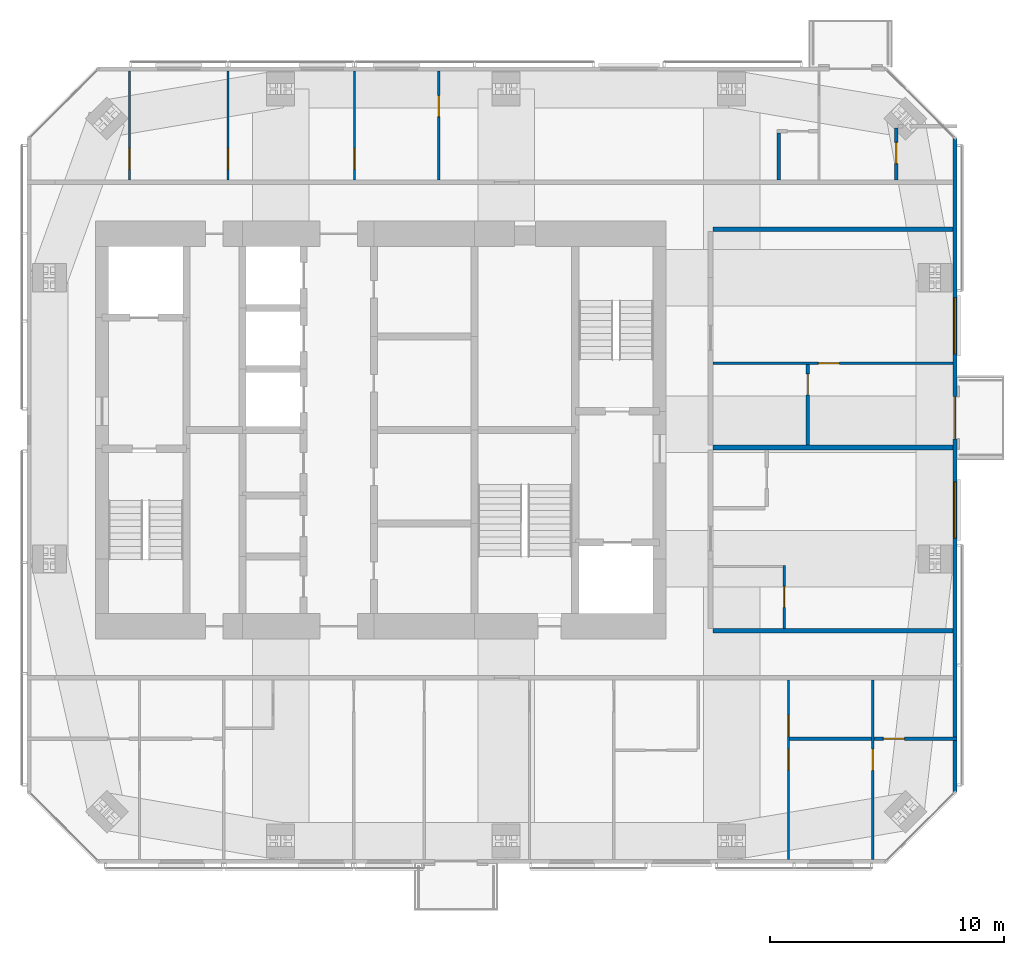
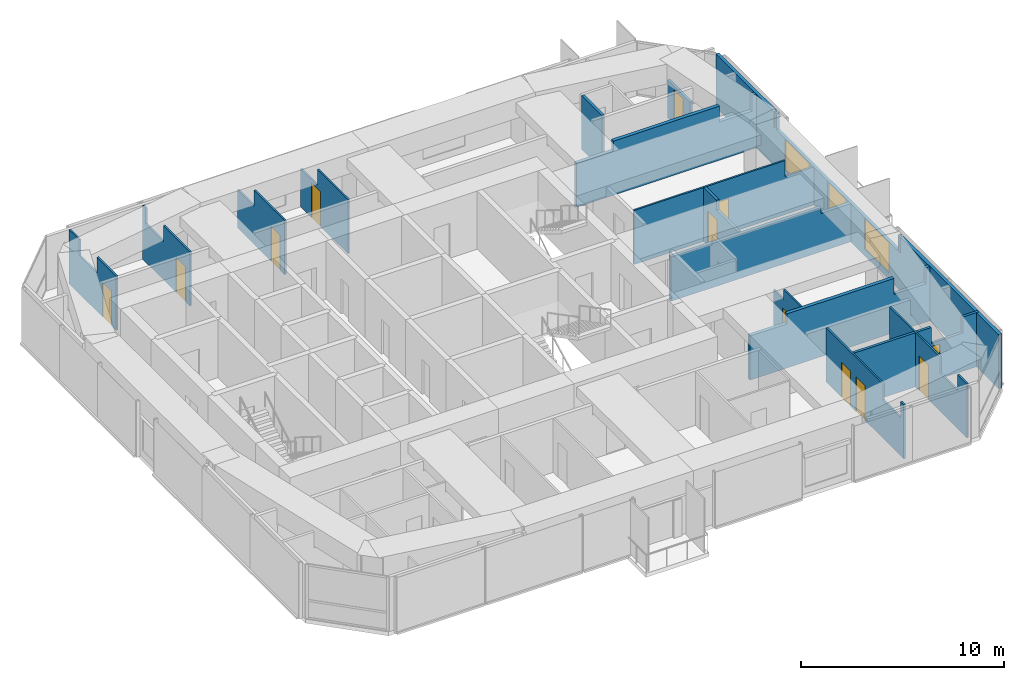
# One storey, part 16 of 18: 17 walls, 13 doors, 2 windows, 15 openings.
"""IFC4 building model written with IfcOpenShell, lengths in metres."""

from ifc_helpers import new_model, si_unit, direction, frame, frame_2d, origin, place, context, subcontext, project, spatial, polyline, rectangle, outline, extrude, material, constituent, constituent_set, type_object, element, fill, save


model = new_model("IFC4")

# Units and contexts
model_context = context("Model", 3, precision=1e-05, world=origin(), true_north=direction((0.0, 1.0)))
body_context = subcontext(model_context, "Body", "Model", "MODEL_VIEW")
ifc_project = project(units=[si_unit("LENGTHUNIT", "METRE"), si_unit("AREAUNIT", "SQUARE_METRE"), si_unit("VOLUMEUNIT", "CUBIC_METRE"), si_unit("PLANEANGLEUNIT", "RADIAN"), si_unit("MASSUNIT", "GRAM", prefix="KILO")], contexts=[model_context])

# Site, building, storey
site_placement = place(None, origin())
site = spatial("IfcSite", under=ifc_project, at=site_placement, CompositionType="ELEMENT")
building_placement = place(site_placement, origin())
building = spatial("IfcBuilding", under=site, at=building_placement, Name="Jalousie Tower", CompositionType="ELEMENT")
storey_placement = place(building_placement, frame((0.0, 0.0, 256.449951171875)))
storey = spatial("IfcBuildingStorey", under=building, at=storey_placement, Name="L70", CompositionType="ELEMENT", Elevation=256.449951171875)

# Wall
ifc_material_1 = material(Name="Concrete block ASTM C90", Category="concrete")
ifc_constituent_1 = constituent(ifc_material_1, Name="Body")
ifc_material_2 = material(Name="Render")
ifc_constituent_2 = constituent(ifc_material_2, Name="Finish")
ifc_constituent_set_1 = constituent_set(constituents=[ifc_constituent_1, ifc_constituent_2])
wall_type_1 = type_object("IfcWallType", Name="BATHROOM WALL 150", PredefinedType="PLUMBINGWALL", material=ifc_constituent_set_1)
wall_1_placement = place(storey_placement, frame((49.35009765625, 5.324951171875, 0.0), z_axis=(0.0, 0.0, 1.0), x_axis=(1.0, 0.0, 0.0)))
element("IfcWall", 1, at=wall_1_placement, inside=storey, type_object=wall_type_1, Name="Bathroom Wall 150 L70", PredefinedType="PLUMBINGWALL", context=body_context, shape_type="SweptSolid", body=[
    extrude(rectangle(XDim=3.5, YDim=0.14990234375, at=frame_2d((1.75, 0.0))), origin(), (0.0, 0.0, 1.0), 3.260009765625),
])

# Wall, opening, door
wall_2_placement = place(storey_placement, frame((52.949951171875, 5.324951171875, 0.0), z_axis=(0.0, 0.0, 1.0), x_axis=(1.0, 0.0, 0.0)))
wall_2 = element("IfcWall", 2, at=wall_2_placement, inside=storey, type_object=wall_type_1, Name="Bathroom Wall 150 L70", PredefinedType="PLUMBINGWALL", context=body_context, shape_type="SweptSolid", body=[
    extrude(outline(polyline([(0.0, 0.0), (3.550048828125, 0.0), (3.550048828125, 3.260009765625), (2.596923828125, 3.260009765625), (2.596923828125, 2.300048828125), (0.815185546875, 2.300048828125), (0.815185546875, 3.260009765625), (0.0, 3.260009765625), (0.0, 0.0)])), frame((0.0, 0.074951171875, 0.0), z_axis=(0.0, -1.0, 0.0), x_axis=(1.0, 0.0, 0.0)), (0.0, 0.0, 1.0), 0.14990234375),
])
opening_1_placement = place(wall_2_placement, frame((0.39990234375, 0.0, 0.0)))
opening_1 = element("IfcOpeningElement", 3, at=opening_1_placement, cuts=wall_2, Name="Opening D3", PredefinedType="OPENING", context=body_context, shape_type="SweptSolid", body=[
    extrude(rectangle(XDim=0.89990234375, YDim=2.10009765625, at=frame_2d((0.449951171875, 1.050048828125))), frame((0.0, 0.0849609375, 0.0), z_axis=(0.0, -1.0, 0.0), x_axis=(1.0, 0.0, 0.0)), (0.0, 0.0, 1.0), 0.169921875),
])
ifc_material_3 = material(Name="Timber door", Category="wood")
door_type_1 = type_object("IfcDoorType", Name="BATHROOM DOOR 900", OperationType="SINGLE_SWING_LEFT", PredefinedType="DOOR", material=ifc_material_3)
door_1_placement = place(opening_1_placement, origin())
door_1 = element("IfcDoor", 4, at=door_1_placement, inside=storey, type_object=door_type_1, Name="Apartment 7001 bedroom 4 bathroom door", OperationType="SINGLE_SWING_LEFT", OverallHeight=2.10009765625, OverallWidth=0.89990234375, PredefinedType="DOOR", context=body_context, shape_type="SweptSolid", body=[
    extrude(rectangle(XDim=0.89990234375, YDim=2.10009765625, at=frame_2d((0.449951171875, 1.050048828125))), frame((0.0, 0.02490234375, 0.0), z_axis=(0.0, -1.0, 0.0), x_axis=(1.0, 0.0, 0.0)), (0.0, 0.0, 1.0), 0.050048828125),
])
fill(opening_1, door_1)

wall_3_placement = place(storey_placement, frame((53.89990234375, 31.39990234375, 0.0), z_axis=(0.0, 0.0, 1.0), x_axis=(0.0, -1.0, 0.0)))
wall_3 = element("IfcWall", 5, at=wall_3_placement, inside=storey, type_object=wall_type_1, Name="Bathroom Wall 150 L70", PredefinedType="PLUMBINGWALL", context=body_context, shape_type="SweptSolid", body=[
    extrude(outline(polyline([(0.0, 0.0), (2.224853515625, 0.0), (2.22509765625, 3.260009765625), (2.22509765625, 2.300048828125), (0.43798828125, 2.300048828125), (0.0, 2.300048828125), (0.0, 3.260009765625), (0.0, 0.0)])), frame((0.0, 0.074951171875, 0.0), z_axis=(0.0, -1.0, 0.0), x_axis=(1.0, 0.0, 0.0)), (0.0, 0.0, 1.0), 0.14990234375),
])
opening_2_placement = place(wall_3_placement, frame((0.625, 0.0, 0.0)))
opening_2 = element("IfcOpeningElement", 6, at=opening_2_placement, cuts=wall_3, Name="Opening D3", PredefinedType="OPENING", context=body_context, shape_type="SweptSolid", body=[
    extrude(rectangle(XDim=0.89990234375, YDim=2.10009765625, at=frame_2d((0.449951171875, 1.050048828125))), frame((0.0, 0.0849609375, 0.0), z_axis=(0.0, -1.0, 0.0), x_axis=(1.0, 0.0, 0.0)), (0.0, 0.0, 1.0), 0.169921875),
])
door_2_placement = place(opening_2_placement, origin())
door_2 = element("IfcDoor", 7, at=door_2_placement, inside=storey, type_object=door_type_1, Name="Apartment 7002 bathroom door", OperationType="SINGLE_SWING_LEFT", OverallHeight=2.10009765625, OverallWidth=0.89990234375, PredefinedType="DOOR", context=body_context, shape_type="SweptSolid", body=[
    extrude(rectangle(XDim=0.89990234375, YDim=2.10009765625, at=frame_2d((0.449951171875, 1.050048828125))), frame((0.0, 0.02490234375, 0.0), z_axis=(0.0, -1.0, 0.0), x_axis=(1.0, 0.0, 0.0)), (0.0, 0.0, 1.0), 0.050048828125),
])
fill(opening_2, door_2)

wall_4_placement = place(storey_placement, frame((50.125, 17.85009765625, 0.0), z_axis=(0.0, 0.0, 1.0), x_axis=(0.0, 1.0, 0.0)))
wall_4 = element("IfcWall", 8, at=wall_4_placement, inside=storey, type_object=wall_type_1, Name="Bathroom Wall 150 L70", PredefinedType="PLUMBINGWALL", context=body_context, shape_type="SweptSolid", body=[
    extrude(outline(polyline([(0.0, 0.0), (3.449951171875, 0.0), (3.449951171875, 3.260009765625), (2.18505859375, 3.260009765625), (2.18505859375, 2.66015625), (0.0, 2.66015625), (0.0, 3.260009765625), (0.0, 0.0)])), frame((0.0, 0.074951171875, 0.0), z_axis=(0.0, -1.0, 0.0), x_axis=(1.0, 0.0, 0.0)), (0.0, 0.0, 1.0), 0.14990234375),
])
opening_3_placement = place(wall_4_placement, frame((2.14990234375, 0.0, 0.0)))
opening_3 = element("IfcOpeningElement", 9, at=opening_3_placement, cuts=wall_4, Name="Opening D3", PredefinedType="OPENING", context=body_context, shape_type="SweptSolid", body=[
    extrude(rectangle(XDim=0.89990234375, YDim=2.10009765625, at=frame_2d((0.449951171875, 1.050048828125))), frame((0.0, 0.0849609375, 0.0), z_axis=(0.0, -1.0, 0.0), x_axis=(1.0, 0.0, 0.0)), (0.0, 0.0, 1.0), 0.169921875),
])
door_3_placement = place(opening_3_placement, origin())
door_3 = element("IfcDoor", 10, at=door_3_placement, inside=storey, type_object=door_type_1, Name="Apartment 7004 bedroom 1 bathroom door", OperationType="SINGLE_SWING_RIGHT", OverallHeight=2.10009765625, OverallWidth=0.89990234375, PredefinedType="DOOR", context=body_context, shape_type="SweptSolid", body=[
    extrude(rectangle(XDim=0.89990234375, YDim=2.10009765625, at=frame_2d((0.449951171875, 1.050048828125))), frame((0.0, 0.02490234375, 0.0), z_axis=(0.0, -1.0, 0.0), x_axis=(1.0, 0.0, 0.0)), (0.0, 0.0, 1.0), 0.050048828125),
])
fill(opening_3, door_3)

# Walls
wall_5_placement = place(storey_placement, frame((48.87744140625, 29.175048828125, 0.0), z_axis=(0.0, 0.0, 1.0), x_axis=(0.0, 1.0, 0.0)))
element("IfcWall", 11, at=wall_5_placement, inside=storey, type_object=wall_type_1, Name="Bathroom Wall 150 L70", PredefinedType="PLUMBINGWALL", context=body_context, shape_type="SweptSolid", body=[
    extrude(rectangle(XDim=2.0, YDim=0.14990234375, at=frame_2d((1.0, 0.0))), origin(), (0.0, 0.0, 1.0), 3.260009765625),
])
ifc_material_4 = material(Name="Concrete block ASTM C90", Category="concrete")
ifc_constituent_3 = constituent(ifc_material_4, Name="Body")
ifc_material_5 = material(Name="Render")
ifc_constituent_4 = constituent(ifc_material_5, Name="Finish")
ifc_constituent_set_2 = constituent_set(constituents=[ifc_constituent_3, ifc_constituent_4])
wall_type_2 = type_object("IfcWallType", Name="CORRIDOR WALL 200", PredefinedType="PARTITIONING", material=ifc_constituent_set_2)
wall_6_placement = place(storey_placement, frame((46.074951171875, 9.925048828125, 0.0), z_axis=(0.0, 0.0, 1.0), x_axis=(1.0, 0.0, 0.0)))
element("IfcWall", 12, at=wall_6_placement, inside=storey, type_object=wall_type_2, Name="Corridor Wall 200 L70", PredefinedType="PARTITIONING", context=body_context, shape_type="SweptSolid", body=[
    extrude(outline(polyline([(0.0, 0.0), (10.25, 0.0), (10.25, 3.260009765625), (10.032958984375, 3.260009765625), (10.032958984375, 2.300048828125), (8.20068359375, 2.300048828125), (8.20068359375, 3.260009765625), (2.110107421875, 3.260009765625), (2.110107421875, 2.66015625), (0.0, 2.66015625), (0.0, 3.260009765625), (0.0, 0.0)])), frame((0.0, 0.10009765625, 0.0), z_axis=(0.0, -1.0, 0.0), x_axis=(1.0, 0.0, 0.0)), (0.0, 0.0, 1.0), 0.199951171875),
])
wall_7_placement = place(storey_placement, frame((46.074951171875, 27.074951171875, 0.0), z_axis=(0.0, 0.0, 1.0), x_axis=(1.0, 0.0, 0.0)))
element("IfcWall", 13, at=wall_7_placement, inside=storey, type_object=wall_type_2, Name="Corridor Wall 200 L70", PredefinedType="PARTITIONING", context=body_context, shape_type="SweptSolid", body=[
    extrude(outline(polyline([(0.0, 0.0), (10.25, 0.0), (10.25, 3.260009765625), (10.0166015625, 3.260009765625), (10.0166015625, 2.300048828125), (8.16552734375, 2.300048828125), (8.16552734375, 3.260009765625), (2.110107421875, 3.260009765625), (2.110107421875, 2.66015625), (0.0, 2.66015625), (0.0, 3.260009765625), (0.0, 0.0)])), frame((0.0, 0.10009765625, 0.0), z_axis=(0.0, -1.0, 0.0), x_axis=(1.0, 0.0, 0.0)), (0.0, 0.0, 1.0), 0.199951171875),
])

# Wall, openings, door, windows
ifc_material_6 = material(Name="Concrete f'c 40 MPa", Category="concrete")
ifc_constituent_5 = constituent(ifc_material_6, Name="Body")
ifc_material_7 = material(Name="Render, pastel sky blue")
ifc_constituent_6 = constituent(ifc_material_7, Name="Finish")
ifc_constituent_set_3 = constituent_set(constituents=[ifc_constituent_5, ifc_constituent_6])
wall_type_3 = type_object("IfcWallType", Name="EXTERNAL WALL 175 SKY BLUE RENDER", PredefinedType="SOLIDWALL", material=ifc_constituent_set_3)
wall_8_placement = place(storey_placement, frame((56.41259765625, 3.05126953125, 0.0), z_axis=(0.0, 0.0, 1.0), x_axis=(0.0, 1.0, 0.0)))
wall_8 = element("IfcWall", 14, at=wall_8_placement, inside=storey, type_object=wall_type_3, Name="External Wall 175 Sky Blue Render L70", PredefinedType="SOLIDWALL", context=body_context, shape_type="SweptSolid", body=[
    extrude(outline(polyline([(0.0, 0.0), (27.8974609375, 0.0), (27.8974609375, 3.260009765625), (22.1572265625, 3.260009765625), (22.1572265625, 2.300048828125), (22.092041015625, 2.300048828125), (22.092041015625, 3.260009765625), (21.94873046875, 3.260009765625), (21.94873046875, 2.300048828125), (9.94873046875, 2.300048828125), (9.94873046875, 3.260009765625), (9.8583984375, 3.260009765625), (9.8583984375, 2.300048828125), (9.6875, 2.300048828125), (9.6875, 3.260009765625), (0.0, 3.260009765625), (0.0, 0.0)])), frame((0.0, 0.08740234375, 0.0), z_axis=(0.0, -1.0, 0.0), x_axis=(1.0, 0.0, 0.0)), (0.0, 0.0, 1.0), 0.175048828125),
])
opening_4_placement = place(wall_8_placement, frame((10.83056640625, 0.0, 0.39990234375)))
opening_4 = element("IfcOpeningElement", 15, at=opening_4_placement, cuts=wall_8, Name="Opening W-LIV185", PredefinedType="OPENING", context=body_context, shape_type="SweptSolid", body=[
    extrude(rectangle(XDim=2.39990234375, YDim=1.85009765625, at=frame_2d((1.199951171875, 0.925048828125))), frame((0.0, 0.097412109375, 0.0), z_axis=(0.0, -1.0, 0.0), x_axis=(1.0, 0.0, 0.0)), (0.0, 0.0, 1.0), 0.195068359375),
])
opening_5_placement = place(wall_8_placement, frame((15.07373046875, 0.0, 0.0)))
opening_5 = element("IfcOpeningElement", 16, at=opening_5_placement, cuts=wall_8, Name="Opening D-BAL22", PredefinedType="OPENING", context=body_context, shape_type="SweptSolid", body=[
    extrude(rectangle(XDim=1.800048828125, YDim=2.25, at=frame_2d((0.89990234375, 1.125))), frame((0.0, 0.097412109375, 0.0), z_axis=(0.0, -1.0, 0.0), x_axis=(1.0, 0.0, 0.0)), (0.0, 0.0, 1.0), 0.195068359375),
])
opening_6_placement = place(wall_8_placement, frame((18.69873046875, 0.0, 0.39990234375)))
opening_6 = element("IfcOpeningElement", 17, at=opening_6_placement, cuts=wall_8, Name="Opening W-LIV185", PredefinedType="OPENING", context=body_context, shape_type="SweptSolid", body=[
    extrude(rectangle(XDim=2.39990234375, YDim=1.85009765625, at=frame_2d((1.199951171875, 0.925048828125))), frame((0.0, 0.097412109375, 0.0), z_axis=(0.0, -1.0, 0.0), x_axis=(1.0, 0.0, 0.0)), (0.0, 0.0, 1.0), 0.195068359375),
])
ifc_material_8 = material(Name="Aluminium frame, impact-rated glazing", Category="aluminium")
door_type_2 = type_object("IfcDoorType", Name="BALCONY DOOR 1800x2250", OperationType="SLIDING_TO_LEFT", PredefinedType="DOOR", material=ifc_material_8)
door_4_placement = place(opening_5_placement, origin())
door_4 = element("IfcDoor", 18, at=door_4_placement, inside=storey, type_object=door_type_2, Name="Apartment 7004 bedroom 1 balcony door", OperationType="SLIDING_TO_LEFT", OverallHeight=2.25, OverallWidth=1.800048828125, PredefinedType="DOOR", context=body_context, shape_type="SweptSolid", body=[
    extrude(rectangle(XDim=1.800048828125, YDim=2.25, at=frame_2d((0.89990234375, 1.125))), frame((0.0, 0.02490234375, 0.0), z_axis=(0.0, -1.0, 0.0), x_axis=(1.0, 0.0, 0.0)), (0.0, 0.0, 1.0), 0.050048828125),
])
fill(opening_5, door_4)
ifc_material_9 = material(Name="Aluminium frame, impact-rated glazing", Category="aluminium")
window_type = type_object("IfcWindowType", Name="WINDOW LIV 2400x1850", PartitioningType="DOUBLE_PANEL_VERTICAL", PredefinedType="WINDOW", material=ifc_material_9)
window_1_placement = place(opening_4_placement, origin())
window_1 = element("IfcWindow", 19, at=window_1_placement, inside=storey, type_object=window_type, Name="Apartment 7003 studio living and sleeping room window", OverallHeight=1.85009765625, OverallWidth=2.39990234375, PartitioningType="SINGLE_PANEL", PredefinedType="WINDOW", context=body_context, shape_type="SweptSolid", body=[
    extrude(rectangle(XDim=2.39990234375, YDim=1.85009765625, at=frame_2d((1.199951171875, 0.925048828125))), frame((0.0, 0.030029296875, 0.0), z_axis=(0.0, -1.0, 0.0), x_axis=(1.0, 0.0, 0.0)), (0.0, 0.0, 1.0), 0.06005859375),
])
fill(opening_4, window_1)
window_2_placement = place(opening_6_placement, origin())
window_2 = element("IfcWindow", 20, at=window_2_placement, inside=storey, type_object=window_type, Name="Apartment 7004 living, dining and kitchen window", OverallHeight=1.85009765625, OverallWidth=2.39990234375, PartitioningType="SINGLE_PANEL", PredefinedType="WINDOW", context=body_context, shape_type="SweptSolid", body=[
    extrude(rectangle(XDim=2.39990234375, YDim=1.85009765625, at=frame_2d((1.199951171875, 0.925048828125))), frame((0.0, 0.030029296875, 0.0), z_axis=(0.0, -1.0, 0.0), x_axis=(1.0, 0.0, 0.0)), (0.0, 0.0, 1.0), 0.06005859375),
])
fill(opening_6, window_2)

# Wall, openings, doors
ifc_material_10 = material(Name="Gypsum board", Category="gypsum")
ifc_constituent_7 = constituent(ifc_material_10, Name="Body")
ifc_material_11 = material(Name="Light-gauge steel studs ASTM A653 SS Grade 33", Category="steel")
ifc_constituent_8 = constituent(ifc_material_11, Name="Framing")
ifc_constituent_set_4 = constituent_set(constituents=[ifc_constituent_7, ifc_constituent_8])
wall_type_4 = type_object("IfcWallType", Name="PARTITION 100", PredefinedType="PARTITIONING", material=ifc_constituent_set_4)
wall_9_placement = place(storey_placement, frame((49.300048828125, 0.175048828125, 0.0), z_axis=(0.0, 0.0, 1.0), x_axis=(0.0, 1.0, 0.0)))
wall_9 = element("IfcWall", 21, at=wall_9_placement, inside=storey, type_object=wall_type_4, Name="Partition 100 L70", PredefinedType="PARTITIONING", context=body_context, shape_type="SweptSolid", body=[
    extrude(outline(polyline([(0.0, 0.0), (7.64990234375, 0.0), (7.64990234375, 3.260009765625), (2.05810546875, 3.260009765625), (2.05810546875, 2.300048828125), (0.313720703125, 2.300048828125), (0.313720703125, 3.260009765625), (0.0, 3.260009765625), (0.0, 0.0)])), frame((0.0, 0.050048828125, 0.0), z_axis=(0.0, -1.0, 0.0), x_axis=(1.0, 0.0, 0.0)), (0.0, 0.0, 1.0), 0.10009765625),
])
opening_7_placement = place(wall_9_placement, frame((3.800048828125, 0.0, 0.0)))
opening_7 = element("IfcOpeningElement", 22, at=opening_7_placement, cuts=wall_9, Name="Opening D2", PredefinedType="OPENING", context=body_context, shape_type="SweptSolid", body=[
    extrude(rectangle(XDim=0.89990234375, YDim=2.10009765625, at=frame_2d((0.449951171875, 1.050048828125))), frame((0.0, 0.06005859375, 0.0), z_axis=(0.0, -1.0, 0.0), x_axis=(1.0, 0.0, 0.0)), (0.0, 0.0, 1.0), 0.1201171875),
])
opening_8_placement = place(wall_9_placement, frame((5.25, 0.0, 0.0)))
opening_8 = element("IfcOpeningElement", 23, at=opening_8_placement, cuts=wall_9, Name="Opening D7", PredefinedType="OPENING", context=body_context, shape_type="SweptSolid", body=[
    extrude(rectangle(XDim=0.89990234375, YDim=2.10009765625, at=frame_2d((0.449951171875, 1.050048828125))), frame((0.0, 0.06005859375, 0.0), z_axis=(0.0, -1.0, 0.0), x_axis=(1.0, 0.0, 0.0)), (0.0, 0.0, 1.0), 0.1201171875),
])
ifc_material_12 = material(Name="Timber door", Category="wood")
door_type_3 = type_object("IfcDoorType", Name="BEDROOM DOOR 900", OperationType="SINGLE_SWING_LEFT", PredefinedType="DOOR", material=ifc_material_12)
door_5_placement = place(opening_7_placement, frame((0.89990234375, 0.0, 0.0), z_axis=(0.0, 0.0, 1.0), x_axis=(-1.0, 0.0, 0.0)))
door_5 = element("IfcDoor", 24, at=door_5_placement, inside=storey, type_object=door_type_3, Name="Apartment 7001 bedroom 3 door", OperationType="SINGLE_SWING_LEFT", OverallHeight=2.10009765625, OverallWidth=0.89990234375, PredefinedType="DOOR", context=body_context, shape_type="SweptSolid", body=[
    extrude(rectangle(XDim=0.89990234375, YDim=2.10009765625, at=frame_2d((0.449951171875, 1.050048828125))), frame((0.0, 0.02490234375, 0.0), z_axis=(0.0, -1.0, 0.0), x_axis=(1.0, 0.0, 0.0)), (0.0, 0.0, 1.0), 0.050048828125),
])
fill(opening_7, door_5)
ifc_material_13 = material(Name="Timber door", Category="wood")
door_type_4 = type_object("IfcDoorType", Name="INTERNAL DOOR 900", OperationType="SINGLE_SWING_LEFT", PredefinedType="DOOR", material=ifc_material_13)
door_6_placement = place(opening_8_placement, frame((0.89990234375, 0.0, 0.0), z_axis=(0.0, 0.0, 1.0), x_axis=(-1.0, 0.0, 0.0)))
door_6 = element("IfcDoor", 25, at=door_6_placement, inside=storey, type_object=door_type_4, Name="Apartment 7001 bathroom door", OperationType="SINGLE_SWING_RIGHT", OverallHeight=2.10009765625, OverallWidth=0.89990234375, PredefinedType="DOOR", context=body_context, shape_type="SweptSolid", body=[
    extrude(rectangle(XDim=0.89990234375, YDim=2.10009765625, at=frame_2d((0.449951171875, 1.050048828125))), frame((0.0, 0.02490234375, 0.0), z_axis=(0.0, -1.0, 0.0), x_axis=(1.0, 0.0, 0.0)), (0.0, 0.0, 1.0), 0.050048828125),
])
fill(opening_8, door_6)

# Wall, opening, door
wall_10_placement = place(storey_placement, frame((52.89990234375, 0.175048828125, 0.0), z_axis=(0.0, 0.0, 1.0), x_axis=(0.0, 1.0, 0.0)))
wall_10 = element("IfcWall", 26, at=wall_10_placement, inside=storey, type_object=wall_type_4, Name="Partition 100 L70", PredefinedType="PARTITIONING", context=body_context, shape_type="SweptSolid", body=[
    extrude(outline(polyline([(0.0, 0.0), (7.64990234375, 0.0), (7.64990234375, 3.260009765625), (2.668212890625, 3.260009765625), (2.668212890625, 2.300048828125), (0.923828125, 2.300048828125), (0.923828125, 3.260009765625), (0.0, 3.260009765625), (0.0, 0.0)])), frame((0.0, 0.050048828125, 0.0), z_axis=(0.0, -1.0, 0.0), x_axis=(1.0, 0.0, 0.0)), (0.0, 0.0, 1.0), 0.10009765625),
])
opening_9_placement = place(wall_10_placement, frame((3.800048828125, 0.0, 0.0)))
opening_9 = element("IfcOpeningElement", 27, at=opening_9_placement, cuts=wall_10, Name="Opening D2", PredefinedType="OPENING", context=body_context, shape_type="SweptSolid", body=[
    extrude(rectangle(XDim=0.89990234375, YDim=2.10009765625, at=frame_2d((0.449951171875, 1.050048828125))), frame((0.0, 0.06005859375, 0.0), z_axis=(0.0, -1.0, 0.0), x_axis=(1.0, 0.0, 0.0)), (0.0, 0.0, 1.0), 0.1201171875),
])
door_7_placement = place(opening_9_placement, origin())
door_7 = element("IfcDoor", 28, at=door_7_placement, inside=storey, type_object=door_type_3, Name="Apartment 7001 bedroom 4 door", OperationType="SINGLE_SWING_RIGHT", OverallHeight=2.10009765625, OverallWidth=0.89990234375, PredefinedType="DOOR", context=body_context, shape_type="SweptSolid", body=[
    extrude(rectangle(XDim=0.89990234375, YDim=2.10009765625, at=frame_2d((0.449951171875, 1.050048828125))), frame((0.0, 0.02490234375, 0.0), z_axis=(0.0, -1.0, 0.0), x_axis=(1.0, 0.0, 0.0)), (0.0, 0.0, 1.0), 0.050048828125),
])
fill(opening_9, door_7)

wall_11_placement = place(storey_placement, frame((21.17626953125, 33.824951171875, 0.0), z_axis=(0.0, 0.0, 1.0), x_axis=(0.0, -1.0, 0.0)))
wall_11 = element("IfcWall", 29, at=wall_11_placement, inside=storey, type_object=wall_type_4, Name="Partition 100 L70", PredefinedType="PARTITIONING", context=body_context, shape_type="SweptSolid", body=[
    extrude(outline(polyline([(0.0, 0.0), (4.64990234375, 0.0), (4.64990234375, 3.260009765625), (2.739990234375, 3.260009765625), (2.739990234375, 2.300048828125), (0.99560546875, 2.300048828125), (0.99560546875, 3.260009765625), (0.0, 3.260009765625), (0.0, 0.0)])), frame((0.0, 0.050048828125, 0.0), z_axis=(0.0, -1.0, 0.0), x_axis=(1.0, 0.0, 0.0)), (0.0, 0.0, 1.0), 0.10009765625),
])
opening_10_placement = place(wall_11_placement, frame((3.300048828125, 0.0, 0.0)))
opening_10 = element("IfcOpeningElement", 30, at=opening_10_placement, cuts=wall_11, Name="Opening D2", PredefinedType="OPENING", context=body_context, shape_type="SweptSolid", body=[
    extrude(rectangle(XDim=0.89990234375, YDim=2.10009765625, at=frame_2d((0.449951171875, 1.050048828125))), frame((0.0, 0.06005859375, 0.0), z_axis=(0.0, -1.0, 0.0), x_axis=(1.0, 0.0, 0.0)), (0.0, 0.0, 1.0), 0.1201171875),
])
door_8_placement = place(opening_10_placement, frame((0.89990234375, 0.0, 0.0), z_axis=(0.0, 0.0, 1.0), x_axis=(-1.0, 0.0, 0.0)))
door_8 = element("IfcDoor", 31, at=door_8_placement, inside=storey, type_object=door_type_3, Name="Apartment 7002 bedroom 1 door", OperationType="SINGLE_SWING_LEFT", OverallHeight=2.10009765625, OverallWidth=0.89990234375, PredefinedType="DOOR", context=body_context, shape_type="SweptSolid", body=[
    extrude(rectangle(XDim=0.89990234375, YDim=2.10009765625, at=frame_2d((0.449951171875, 1.050048828125))), frame((0.0, 0.02490234375, 0.0), z_axis=(0.0, -1.0, 0.0), x_axis=(1.0, 0.0, 0.0)), (0.0, 0.0, 1.0), 0.050048828125),
])
fill(opening_10, door_8)

wall_12_placement = place(storey_placement, frame((25.375, 33.824951171875, 0.0), z_axis=(0.0, 0.0, 1.0), x_axis=(0.0, -1.0, 0.0)))
wall_12 = element("IfcWall", 32, at=wall_12_placement, inside=storey, type_object=wall_type_4, Name="Partition 100 L70", PredefinedType="PARTITIONING", context=body_context, shape_type="SweptSolid", body=[
    extrude(outline(polyline([(0.0, 0.0), (4.64990234375, 0.0), (4.64990234375, 3.260009765625), (2.028564453125, 3.260009765625), (2.028564453125, 2.300048828125), (0.283935546875, 2.300048828125), (0.283935546875, 3.260009765625), (0.0, 3.260009765625), (0.0, 0.0)])), frame((0.0, 0.050048828125, 0.0), z_axis=(0.0, -1.0, 0.0), x_axis=(1.0, 0.0, 0.0)), (0.0, 0.0, 1.0), 0.10009765625),
])
opening_11_placement = place(wall_12_placement, frame((3.300048828125, 0.0, 0.0)))
opening_11 = element("IfcOpeningElement", 33, at=opening_11_placement, cuts=wall_12, Name="Opening D2", PredefinedType="OPENING", context=body_context, shape_type="SweptSolid", body=[
    extrude(rectangle(XDim=0.89990234375, YDim=2.10009765625, at=frame_2d((0.449951171875, 1.050048828125))), frame((0.0, 0.06005859375, 0.0), z_axis=(0.0, -1.0, 0.0), x_axis=(1.0, 0.0, 0.0)), (0.0, 0.0, 1.0), 0.1201171875),
])
door_9_placement = place(opening_11_placement, origin())
door_9 = element("IfcDoor", 34, at=door_9_placement, inside=storey, type_object=door_type_3, Name="Apartment 7002 bedroom 2 door", OperationType="SINGLE_SWING_RIGHT", OverallHeight=2.10009765625, OverallWidth=0.89990234375, PredefinedType="DOOR", context=body_context, shape_type="SweptSolid", body=[
    extrude(rectangle(XDim=0.89990234375, YDim=2.10009765625, at=frame_2d((0.449951171875, 1.050048828125))), frame((0.0, 0.02490234375, 0.0), z_axis=(0.0, -1.0, 0.0), x_axis=(1.0, 0.0, 0.0)), (0.0, 0.0, 1.0), 0.050048828125),
])
fill(opening_11, door_9)

wall_13_placement = place(storey_placement, frame((30.77490234375, 33.824951171875, 0.0), z_axis=(0.0, 0.0, 1.0), x_axis=(0.0, -1.0, 0.0)))
wall_13 = element("IfcWall", 35, at=wall_13_placement, inside=storey, type_object=wall_type_4, Name="Partition 100 L70", PredefinedType="PARTITIONING", context=body_context, shape_type="SweptSolid", body=[
    extrude(outline(polyline([(0.0, 0.0), (4.64990234375, 0.0), (4.64990234375, 3.260009765625), (1.635009765625, 3.260009765625), (1.635009765625, 2.300048828125), (0.0, 2.300048828125), (0.0, 3.260009765625), (0.0, 0.0)])), frame((0.0, 0.050048828125, 0.0), z_axis=(0.0, -1.0, 0.0), x_axis=(1.0, 0.0, 0.0)), (0.0, 0.0, 1.0), 0.10009765625),
])
opening_12_placement = place(wall_13_placement, frame((3.300048828125, 0.0, 0.0)))
opening_12 = element("IfcOpeningElement", 36, at=opening_12_placement, cuts=wall_13, Name="Opening D2", PredefinedType="OPENING", context=body_context, shape_type="SweptSolid", body=[
    extrude(rectangle(XDim=0.89990234375, YDim=2.10009765625, at=frame_2d((0.449951171875, 1.050048828125))), frame((0.0, 0.06005859375, 0.0), z_axis=(0.0, -1.0, 0.0), x_axis=(1.0, 0.0, 0.0)), (0.0, 0.0, 1.0), 0.1201171875),
])
door_10_placement = place(opening_12_placement, frame((0.89990234375, 0.0, 0.0), z_axis=(0.0, 0.0, 1.0), x_axis=(-1.0, 0.0, 0.0)))
door_10 = element("IfcDoor", 37, at=door_10_placement, inside=storey, type_object=door_type_3, Name="Apartment 7002 bedroom 3 door", OperationType="SINGLE_SWING_LEFT", OverallHeight=2.10009765625, OverallWidth=0.89990234375, PredefinedType="DOOR", context=body_context, shape_type="SweptSolid", body=[
    extrude(rectangle(XDim=0.89990234375, YDim=2.10009765625, at=frame_2d((0.449951171875, 1.050048828125))), frame((0.0, 0.02490234375, 0.0), z_axis=(0.0, -1.0, 0.0), x_axis=(1.0, 0.0, 0.0)), (0.0, 0.0, 1.0), 0.050048828125),
])
fill(opening_12, door_10)

wall_14_placement = place(storey_placement, frame((34.375, 33.824951171875, 0.0), z_axis=(0.0, 0.0, 1.0), x_axis=(0.0, -1.0, 0.0)))
wall_14 = element("IfcWall", 38, at=wall_14_placement, inside=storey, type_object=wall_type_4, Name="Partition 100 L70", PredefinedType="PARTITIONING", context=body_context, shape_type="SweptSolid", body=[
    extrude(outline(polyline([(0.0, 0.0), (4.64990234375, 0.0), (4.64990234375, 3.260009765625), (1.635009765625, 3.260009765625), (1.635009765625, 2.300048828125), (0.0, 2.300048828125), (0.0, 3.260009765625), (0.0, 0.0)])), frame((0.0, 0.050048828125, 0.0), z_axis=(0.0, -1.0, 0.0), x_axis=(1.0, 0.0, 0.0)), (0.0, 0.0, 1.0), 0.10009765625),
])
opening_13_placement = place(wall_14_placement, frame((1.050048828125, 0.0, 0.0)))
opening_13 = element("IfcOpeningElement", 39, at=opening_13_placement, cuts=wall_14, Name="Opening D2", PredefinedType="OPENING", context=body_context, shape_type="SweptSolid", body=[
    extrude(rectangle(XDim=0.89990234375, YDim=2.10009765625, at=frame_2d((0.449951171875, 1.050048828125))), frame((0.0, 0.06005859375, 0.0), z_axis=(0.0, -1.0, 0.0), x_axis=(1.0, 0.0, 0.0)), (0.0, 0.0, 1.0), 0.1201171875),
])
door_11_placement = place(opening_13_placement, frame((0.89990234375, 0.0, 0.0), z_axis=(0.0, 0.0, 1.0), x_axis=(-1.0, 0.0, 0.0)))
door_11 = element("IfcDoor", 40, at=door_11_placement, inside=storey, type_object=door_type_3, Name="Apartment 7002 bedroom 4 door", OperationType="SINGLE_SWING_RIGHT", OverallHeight=2.10009765625, OverallWidth=0.89990234375, PredefinedType="DOOR", context=body_context, shape_type="SweptSolid", body=[
    extrude(rectangle(XDim=0.89990234375, YDim=2.10009765625, at=frame_2d((0.449951171875, 1.050048828125))), frame((0.0, 0.02490234375, 0.0), z_axis=(0.0, -1.0, 0.0), x_axis=(1.0, 0.0, 0.0)), (0.0, 0.0, 1.0), 0.050048828125),
])
fill(opening_13, door_11)

wall_15_placement = place(storey_placement, frame((56.324951171875, 21.35009765625, 0.0), z_axis=(0.0, 0.0, 1.0), x_axis=(-1.0, 0.0, 0.0)))
wall_15 = element("IfcWall", 41, at=wall_15_placement, inside=storey, type_object=wall_type_4, Name="Partition 100 L70", PredefinedType="PARTITIONING", context=body_context, shape_type="SweptSolid", body=[
    extrude(outline(polyline([(0.0, 0.0), (10.25, 0.0), (10.25, 3.260009765625), (1.635009765625, 3.260009765625), (1.635009765625, 2.300048828125), (0.0, 2.300048828125), (0.0, 3.260009765625), (0.0, 0.0)])), frame((0.0, 0.050048828125, 0.0), z_axis=(0.0, -1.0, 0.0), x_axis=(1.0, 0.0, 0.0)), (0.0, 0.0, 1.0), 0.10009765625),
])
opening_14_placement = place(wall_15_placement, frame((4.85009765625, 0.0, 0.0)))
opening_14 = element("IfcOpeningElement", 42, at=opening_14_placement, cuts=wall_15, Name="Opening D2", PredefinedType="OPENING", context=body_context, shape_type="SweptSolid", body=[
    extrude(rectangle(XDim=0.89990234375, YDim=2.10009765625, at=frame_2d((0.449951171875, 1.050048828125))), frame((0.0, 0.06005859375, 0.0), z_axis=(0.0, -1.0, 0.0), x_axis=(1.0, 0.0, 0.0)), (0.0, 0.0, 1.0), 0.1201171875),
])
door_12_placement = place(opening_14_placement, origin())
door_12 = element("IfcDoor", 43, at=door_12_placement, inside=storey, type_object=door_type_3, Name="Apartment 7004 bedroom 1 door", OperationType="SINGLE_SWING_RIGHT", OverallHeight=2.10009765625, OverallWidth=0.89990234375, PredefinedType="DOOR", context=body_context, shape_type="SweptSolid", body=[
    extrude(rectangle(XDim=0.89990234375, YDim=2.10009765625, at=frame_2d((0.449951171875, 1.050048828125))), frame((0.0, 0.02490234375, 0.0), z_axis=(0.0, -1.0, 0.0), x_axis=(1.0, 0.0, 0.0)), (0.0, 0.0, 1.0), 0.050048828125),
])
fill(opening_14, door_12)

wall_16_placement = place(storey_placement, frame((49.125, 10.02490234375, 0.0), z_axis=(0.0, 0.0, 1.0), x_axis=(0.0, 1.0, 0.0)))
wall_16 = element("IfcWall", 44, at=wall_16_placement, inside=storey, type_object=wall_type_4, Name="Partition 100 L70", PredefinedType="PARTITIONING", context=body_context, shape_type="SweptSolid", body=[
    extrude(outline(polyline([(0.0, 0.0), (2.7001953125, 0.0), (2.699951171875, 3.260009765625), (2.699951171875, 2.66015625), (1.715087890625, 2.66015625), (1.715087890625, 3.260009765625), (0.0, 3.260009765625), (0.0, 0.0)])), frame((0.0, 0.050048828125, 0.0), z_axis=(0.0, -1.0, 0.0), x_axis=(1.0, 0.0, 0.0)), (0.0, 0.0, 1.0), 0.10009765625),
])
opening_15_placement = place(wall_16_placement, frame((0.89990234375, 0.0, 0.0)))
opening_15 = element("IfcOpeningElement", 45, at=opening_15_placement, cuts=wall_16, Name="Opening D7", PredefinedType="OPENING", context=body_context, shape_type="SweptSolid", body=[
    extrude(rectangle(XDim=0.89990234375, YDim=2.10009765625, at=frame_2d((0.449951171875, 1.050048828125))), frame((0.0, 0.06005859375, 0.0), z_axis=(0.0, -1.0, 0.0), x_axis=(1.0, 0.0, 0.0)), (0.0, 0.0, 1.0), 0.1201171875),
])
door_13_placement = place(opening_15_placement, origin())
door_13 = element("IfcDoor", 46, at=door_13_placement, inside=storey, type_object=door_type_4, Name="Apartment 7003 kitchen door", OperationType="SINGLE_SWING_RIGHT", OverallHeight=2.10009765625, OverallWidth=0.89990234375, PredefinedType="DOOR", context=body_context, shape_type="SweptSolid", body=[
    extrude(rectangle(XDim=0.89990234375, YDim=2.10009765625, at=frame_2d((0.449951171875, 1.050048828125))), frame((0.0, 0.02490234375, 0.0), z_axis=(0.0, -1.0, 0.0), x_axis=(1.0, 0.0, 0.0)), (0.0, 0.0, 1.0), 0.050048828125),
])
fill(opening_15, door_13)

# Wall
ifc_material_14 = material(Name="Concrete block ASTM C90", Category="concrete")
ifc_constituent_9 = constituent(ifc_material_14, Name="Body")
ifc_material_15 = material(Name="Render")
ifc_constituent_10 = constituent(ifc_material_15, Name="Finish")
ifc_constituent_set_5 = constituent_set(constituents=[ifc_constituent_9, ifc_constituent_10])
wall_type_5 = type_object("IfcWallType", Name="PARTY WALL 200", PredefinedType="PARTITIONING", material=ifc_constituent_set_5)
wall_17_placement = place(storey_placement, frame((56.324951171875, 17.75, 0.0), z_axis=(0.0, 0.0, 1.0), x_axis=(-1.0, 0.0, 0.0)))
element("IfcWall", 47, at=wall_17_placement, inside=storey, type_object=wall_type_5, Name="Party Wall 200 L70", PredefinedType="PARTITIONING", context=body_context, shape_type="SweptSolid", body=[
    extrude(outline(polyline([(0.0, 0.0), (10.25, 0.0), (10.25, 3.260009765625), (10.25, 2.66015625), (1.68505859375, 2.66015625), (1.68505859375, 2.300048828125), (0.0, 2.300048828125), (0.0, 3.260009765625), (0.0, 0.0)])), frame((0.0, 0.10009765625, 0.0), z_axis=(0.0, -1.0, 0.0), x_axis=(1.0, 0.0, 0.0)), (0.0, 0.0, 1.0), 0.199951171875),
])

save(model, "model.ifc")
